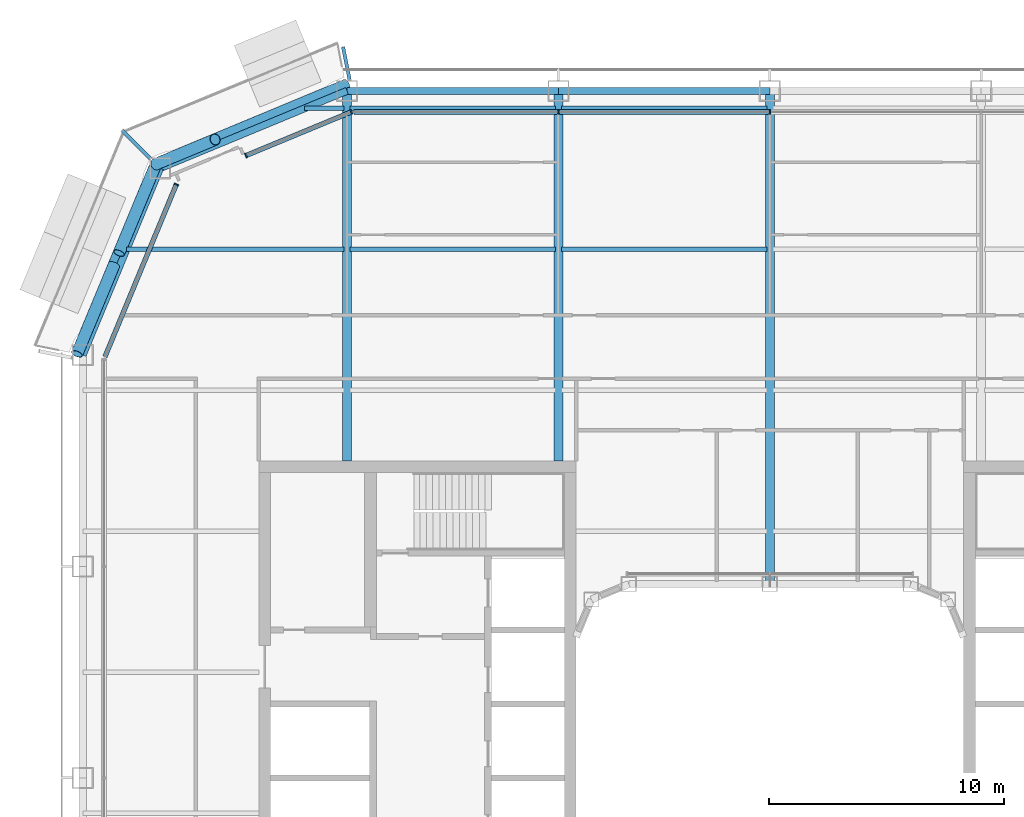
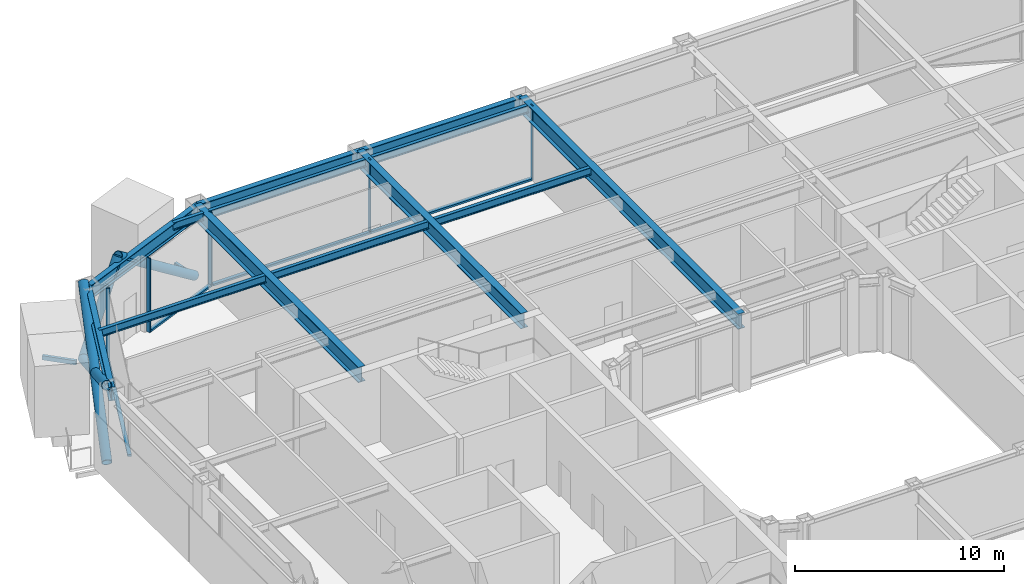
# One storey, part 7 of 23: 15 beams, 14 members, 3 elements without a shape of their own.
"""IFC4 building model written with IfcOpenShell, lengths in metres."""

from ifc_helpers import new_model, si_unit, direction, frame, origin, origin_2d, place, context, subcontext, project, spatial, rectangle, hollow_rectangle, hollow_circle, i_section, extrude, material, layer, layer_set, material_profile, profile_set, type_object, element, aggregate, save


model = new_model("IFC4")

# Units and contexts
model_context = context("Model", 3, precision=1e-05, world=origin(), true_north=direction((0.0, 1.0)))
body_context = subcontext(model_context, "Body", "Model", "MODEL_VIEW")
ifc_project = project(units=[si_unit("LENGTHUNIT", "METRE"), si_unit("AREAUNIT", "SQUARE_METRE"), si_unit("VOLUMEUNIT", "CUBIC_METRE"), si_unit("PLANEANGLEUNIT", "RADIAN"), si_unit("MASSUNIT", "GRAM", prefix="KILO")], contexts=[model_context])

# Site, building, storey
site_placement = place(None, origin())
site = spatial("IfcSite", under=ifc_project, at=site_placement, CompositionType="ELEMENT")
building_placement = place(site_placement, origin())
building = spatial("IfcBuilding", under=site, at=building_placement, Name="Siwar Civic Tower", CompositionType="ELEMENT")
storey_placement = place(building_placement, frame((0.0, 0.0, 154.199951171875)))
storey = spatial("IfcBuildingStorey", under=building, at=storey_placement, Name="L33", CompositionType="ELEMENT", Elevation=154.199951171875)

# Beams
ifc_material_1 = material(Name="Steel S355", Category="steel")
ifc_material_profile_1 = material_profile(ifc_material_1, hollow_rectangle(XDim=0.14990234375, YDim=0.25, WallThickness=0.010009765625, at=origin_2d()), Name="RHS250x150x10")
ifc_profile_set_1 = profile_set([ifc_material_profile_1], Name="Steel S355")
beam_type_1 = type_object("IfcBeamType", Name="ENV-BALCONY ARM", PredefinedType="BEAM", material=ifc_profile_set_1)
beam_1_placement = place(storey_placement, frame((-17.887451171875, 29.709716796875, -0.27490234375), z_axis=(-0.195191657493, 0.980765118081, 0.0), x_axis=(-0.980765118081, -0.195191657493, 0.0)))
element("IfcBeam", 1, at=beam_1_placement, inside=storey, type_object=beam_type_1, Name="Balcony cantilever beam NW 1", PredefinedType="BEAM", context=body_context, shape_type="SweptSolid", body=[
    extrude(hollow_rectangle(XDim=0.14990234375, YDim=0.25, WallThickness=0.010009765625, at=origin_2d()), origin(), (0.0, 0.0, 1.0), 1.422119140625),
])
beam_2_placement = place(storey_placement, frame((-26.36962890625, 26.36962890625, -0.27490234375), z_axis=(-0.707106781187, 0.707106781187, 0.0), x_axis=(-0.707106781187, -0.707106781187, 0.0)))
element("IfcBeam", 2, at=beam_2_placement, inside=storey, type_object=beam_type_1, Name="Balcony cantilever beam NW 2", PredefinedType="BEAM", context=body_context, shape_type="SweptSolid", body=[
    extrude(hollow_rectangle(XDim=0.14990234375, YDim=0.25, WallThickness=0.010009765625, at=origin_2d()), origin(), (0.0, 0.0, 1.0), 1.6865234375),
])

# Curtain wall, members
ifc_material_2 = material(Name="Aluminium and glass", Category="aluminium")
ifc_layer_1 = layer(ifc_material_2, 0.199951171875)
ifc_layer_set_1 = layer_set([ifc_layer_1], Name="Aluminium and glass")
curtain_wall_type_1 = type_object("IfcCurtainWallType", Name="ENV-CW-B", PredefinedType="NOTDEFINED", material=ifc_layer_set_1)
curtain_wall_1_placement = place(storey_placement, origin())
curtain_wall_1 = element("IfcCurtainWall", 3, at=curtain_wall_1_placement, inside=storey, type_object=curtain_wall_type_1, Name="Curtain wall B N", PredefinedType="NOTDEFINED")
ifc_material_3 = material(Name="Aluminium 6063-T6", Category="aluminium")
ifc_material_profile_2 = material_profile(ifc_material_3, rectangle(XDim=0.199951171875, YDim=0.06494140625, at=origin_2d()), Name="AL 200x65")
ifc_profile_set_2 = profile_set([ifc_material_profile_2], Name="Aluminium 6063-T6")
member_type_1 = type_object("IfcMemberType", Name="ENV-MULLION-B", PredefinedType="MULLION", material=ifc_profile_set_2)
member_1_placement = place(storey_placement, frame((0.0, 28.35009765625, 0.0), z_axis=(0.0, 0.0, 1.0), x_axis=(0.0, -1.0, 0.0)))
member_1 = element("IfcMember", 4, at=member_1_placement, type_object=member_type_1, Name="Mullion B N 3", PredefinedType="MULLION", context=body_context, shape_type="SweptSolid", body=[
    extrude(rectangle(XDim=0.199951171875, YDim=0.06494140625, at=origin_2d()), origin(), (0.0, 0.0, 1.0), 4.35009765625),
])
member_2_placement = place(storey_placement, frame((-9.0, 28.35009765625, 0.0), z_axis=(0.0, 0.0, 1.0), x_axis=(0.0, -1.0, 0.0)))
member_2 = element("IfcMember", 5, at=member_2_placement, type_object=member_type_1, Name="Mullion B N 4", PredefinedType="MULLION", context=body_context, shape_type="SweptSolid", body=[
    extrude(rectangle(XDim=0.199951171875, YDim=0.06494140625, at=origin_2d()), origin(), (0.0, 0.0, 1.0), 4.35009765625),
])

ifc_material_4 = material(Name="Aluminium clad insulated panel", Category="aluminium")
ifc_layer_2 = layer(ifc_material_4, 0.199951171875)
ifc_layer_set_2 = layer_set([ifc_layer_2], Name="Aluminium clad insulated panel")
curtain_wall_type_2 = type_object("IfcCurtainWallType", Name="ENV-CW-BX", PredefinedType="NOTDEFINED", material=ifc_layer_set_2)
curtain_wall_2_placement = place(storey_placement, origin())
curtain_wall_2 = element("IfcCurtainWall", 6, at=curtain_wall_2_placement, inside=storey, type_object=curtain_wall_type_2, Name="Curtain wall B NW1", PredefinedType="NOTDEFINED")
member_3_placement = place(storey_placement, frame((-17.821044921875, 28.35009765625, 0.0), z_axis=(0.0, 0.0, 1.0), x_axis=(0.382683432365, -0.923879532511, 0.0)))
member_3 = element("IfcMember", 7, at=member_3_placement, type_object=member_type_1, Name="Mullion B NW1 1", PredefinedType="MULLION", context=body_context, shape_type="SweptSolid", body=[
    extrude(rectangle(XDim=0.199951171875, YDim=0.06494140625, at=origin_2d()), origin(), (0.0, 0.0, 1.0), 4.35009765625),
])
member_4_placement = place(storey_placement, frame((-22.299072265625, 26.4951171875, 0.0), z_axis=(0.0, 0.0, 1.0), x_axis=(0.382683432365, -0.923879532511, 0.0)))
member_4 = element("IfcMember", 8, at=member_4_placement, type_object=member_type_1, Name="Mullion B NW1 2", PredefinedType="MULLION", context=body_context, shape_type="SweptSolid", body=[
    extrude(rectangle(XDim=0.199951171875, YDim=0.06494140625, at=origin_2d()), origin(), (0.0, 0.0, 1.0), 4.35009765625),
])

# Curtain wall, member
curtain_wall_3_placement = place(storey_placement, origin())
curtain_wall_3 = element("IfcCurtainWall", 9, at=curtain_wall_3_placement, inside=storey, type_object=curtain_wall_type_2, Name="Curtain wall B NW2", PredefinedType="NOTDEFINED")
member_5_placement = place(storey_placement, frame((-25.26611328125, 25.26611328125, 0.0), z_axis=(0.0, 0.0, 1.0), x_axis=(0.923879532511, -0.382683432365, 0.0)))
member_5 = element("IfcMember", 10, at=member_5_placement, type_object=member_type_1, Name="Mullion B NW2 1", PredefinedType="MULLION", context=body_context, shape_type="SweptSolid", body=[
    extrude(rectangle(XDim=0.199951171875, YDim=0.06494140625, at=origin_2d()), origin(), (0.0, 0.0, 1.0), 4.35009765625),
])

# Member
ifc_material_5 = material(Name="Aluminium 6063-T6", Category="aluminium")
ifc_material_profile_3 = material_profile(ifc_material_5, rectangle(XDim=0.199951171875, YDim=0.110107421875, at=origin_2d()), Name="AL 200x110")
ifc_profile_set_3 = profile_set([ifc_material_profile_3], Name="Aluminium 6063-T6")
member_type_2 = type_object("IfcMemberType", Name="ENV-TRANSOM-B", PredefinedType="USERDEFINED", material=ifc_profile_set_3)
member_6_placement = place(storey_placement, frame((-0.032470703125, 28.35009765625, 0.054931640625), z_axis=(-1.0, 0.0, 0.0), x_axis=(0.0, -1.0, 0.0)))
member_6 = element("IfcMember", 11, at=member_6_placement, type_object=member_type_2, Name="Transom B N 3", ObjectType="TRANSOM", PredefinedType="USERDEFINED", context=body_context, shape_type="SweptSolid", body=[
    extrude(rectangle(XDim=0.199951171875, YDim=0.110107421875, at=origin_2d()), origin(), (0.0, 0.0, 1.0), 8.93505859375),
])

member_7_placement = place(storey_placement, frame((-9.032470703125, 28.35009765625, 0.054931640625), z_axis=(-1.0, 0.0, 0.0), x_axis=(0.0, -1.0, 0.0)))
member_7 = element("IfcMember", 12, at=member_7_placement, type_object=member_type_2, Name="Transom B N 4", ObjectType="TRANSOM", PredefinedType="USERDEFINED", context=body_context, shape_type="SweptSolid", body=[
    extrude(rectangle(XDim=0.199951171875, YDim=0.110107421875, at=origin_2d()), origin(), (0.0, 0.0, 1.0), 8.6748046875),
])

aggregate(curtain_wall_1, [member_1, member_2, member_6, member_7])

member_8_placement = place(storey_placement, frame((-17.85107421875, 28.337646484375, 0.054931640625), z_axis=(-0.923872467912, -0.382700487371, 0.0), x_axis=(0.382700487371, -0.923872467912, 0.0)))
member_8 = element("IfcMember", 13, at=member_8_placement, type_object=member_type_2, Name="Transom B NW1 1", ObjectType="TRANSOM", PredefinedType="USERDEFINED", context=body_context, shape_type="SweptSolid", body=[
    extrude(rectangle(XDim=0.199951171875, YDim=0.110107421875, at=origin_2d()), origin(), (0.0, 0.0, 1.0), 4.781982421875),
])

aggregate(curtain_wall_2, [member_3, member_4, member_8])

member_9_placement = place(storey_placement, frame((-25.278564453125, 25.236083984375, 0.054931640625), z_axis=(-0.382673358825, -0.923883705044, 0.0), x_axis=(0.923883705044, -0.382673358825, 0.0)))
member_9 = element("IfcMember", 14, at=member_9_placement, type_object=member_type_2, Name="Transom B NW2 1", ObjectType="TRANSOM", PredefinedType="USERDEFINED", context=body_context, shape_type="SweptSolid", body=[
    extrude(rectangle(XDim=0.199951171875, YDim=0.110107421875, at=origin_2d()), origin(), (0.0, 0.0, 1.0), 7.912353515625),
])

aggregate(curtain_wall_3, [member_5, member_9])

# Members
ifc_material_6 = material(Name="Steel S355", Category="steel")
ifc_material_profile_4 = material_profile(ifc_material_6, hollow_circle(Radius=0.25390625, WallThickness=0.02490234375, at=origin_2d()), Name="CHS508x25")
ifc_profile_set_4 = profile_set([ifc_material_profile_4], Name="Steel S355")
member_type_3 = type_object("IfcMemberType", Name="STR-BR-CHS508x25", PredefinedType="BRACE", material=ifc_profile_set_4)
member_10_placement = place(storey_placement, frame((-29.4951171875, 18.048828125, 0.0), z_axis=(0.341671493852, 0.821142553604, 0.457149315816), x_axis=(-0.923264922524, 0.384163874976, 0.0)))
element("IfcMember", 15, at=member_10_placement, inside=storey, type_object=member_type_3, Name="L33/brc/BNW1-12-0-1", PredefinedType="BRACE", context=body_context, shape_type="SweptSolid", body=[
    extrude(hollow_circle(Radius=0.25390625, WallThickness=0.02490234375, at=origin_2d()), origin(), (0.0, 0.0, 1.0), 9.843505859375),
])
member_11_placement = place(storey_placement, frame((-26.1318359375, 26.1318359375, 0.0), z_axis=(-0.341662474736, -0.821143275065, 0.457154760636), x_axis=(0.923268638995, -0.384154943021, 0.0)))
element("IfcMember", 16, at=member_11_placement, inside=storey, type_object=member_type_3, Name="L33/brc/BNW1-12-0-2", PredefinedType="BRACE", context=body_context, shape_type="SweptSolid", body=[
    extrude(hollow_circle(Radius=0.25390625, WallThickness=0.02490234375, at=origin_2d()), origin(), (0.0, 0.0, 1.0), 4.61474609375),
])
member_12_placement = place(storey_placement, frame((-27.91845703125, 21.837890625, 2.390625), z_axis=(-0.34168558233, -0.821145902409, 0.457132770413), x_axis=(0.923259859753, -0.384176042158, 0.0)))
element("IfcMember", 17, at=member_12_placement, inside=storey, type_object=member_type_3, Name="L33/brc/BNW1-12-0-3", PredefinedType="BRACE", context=body_context, shape_type="SweptSolid", body=[
    extrude(hollow_circle(Radius=0.25390625, WallThickness=0.02490234375, at=origin_2d()), origin(), (0.0, 0.0, 1.0), 4.6142578125),
])
member_13_placement = place(storey_placement, frame((-18.048828125, 29.4951171875, 0.0), z_axis=(-0.739973158344, -0.307903068035, 0.598026275029), x_axis=(0.384169803352, -0.923262455747, 0.0)))
element("IfcMember", 18, at=member_13_placement, inside=storey, type_object=member_type_3, Name="L33/brc/BNW1-12-0-0", PredefinedType="BRACE", context=body_context, shape_type="SweptSolid", body=[
    extrude(hollow_circle(Radius=0.25390625, WallThickness=0.02490234375, at=origin_2d()), origin(), (0.0, 0.0, 1.0), 7.524658203125),
])
member_14_placement = place(storey_placement, frame((-26.1318359375, 26.1318359375, 0.0), z_axis=(0.478099094869, 0.198925611165, 0.855482236349), x_axis=(-0.384150749045, 0.92327038402, 0.0)))
element("IfcMember", 19, at=member_14_placement, inside=storey, type_object=member_type_3, Name="L33/brc/BNW1-12-0-6", PredefinedType="BRACE", context=body_context, shape_type="SweptSolid", body=[
    extrude(hollow_circle(Radius=0.25390625, WallThickness=0.02490234375, at=origin_2d()), origin(), (0.0, 0.0, 1.0), 5.26025390625),
])

# Beams
ifc_material_7 = material(Name="Steel S355", Category="steel")
ifc_material_profile_5 = material_profile(ifc_material_7, i_section(OverallWidth=0.18994140625, OverallDepth=0.449951171875, WebThickness=0.009521484375, FlangeThickness=0.0146484375, FilletRadius=0.02099609375, at=origin_2d()), Name="IPE450")
ifc_profile_set_5 = profile_set([ifc_material_profile_5], Name="Steel S355")
beam_type_2 = type_object("IfcBeamType", Name="STR-FB-IPE450", PredefinedType="JOIST", material=ifc_profile_set_5)
beam_3_placement = place(storey_placement, frame((-27.385986328125, 22.5, 4.125), z_axis=(1.0, 0.0, 0.0), x_axis=(0.0, 1.0, 0.0)))
element("IfcBeam", 20, at=beam_3_placement, inside=storey, type_object=beam_type_2, Name="L33/bm/F037", PredefinedType="JOIST", context=body_context, shape_type="SweptSolid", body=[
    extrude(i_section(OverallWidth=0.18994140625, OverallDepth=0.449951171875, WebThickness=0.009521484375, FlangeThickness=0.0146484375, FilletRadius=0.02099609375, at=origin_2d()), origin(), (0.0, 0.0, 1.0), 9.256103515625),
])
for number, where, z_axis, x_axis, name in (
    (21, (-17.8701171875, 22.5, 4.125), (1.0, 0.0, 0.0), (0.0, 1.0, 0.0), "L33/bm/F038"),
    (22, (-8.8701171875, 22.5, 4.125), (1.0, 0.0, 0.0), (0.0, 1.0, 0.0), "L33/bm/F039"),
):
    element("IfcBeam", number, at=place(storey_placement, frame(where, z_axis=z_axis, x_axis=x_axis)), inside=storey, type_object=beam_type_2, Name=name, PredefinedType="JOIST", context=body_context, shape_type="SweptSolid", body=[
        extrude(i_section(OverallWidth=0.18994140625, OverallDepth=0.449951171875, WebThickness=0.009521484375, FlangeThickness=0.0146484375, FilletRadius=0.02099609375, at=origin_2d()), origin(), (0.0, 0.0, 1.0), 8.740234375),
    ])
beam_4_placement = place(storey_placement, frame((-19.810546875, 28.5, 4.125), z_axis=(1.0, 0.0, 0.0), x_axis=(0.0, 1.0, 0.0)))
element("IfcBeam", 23, at=beam_4_placement, inside=storey, type_object=beam_type_2, Name="L33/bm/F043", PredefinedType="JOIST", context=body_context, shape_type="SweptSolid", body=[
    extrude(i_section(OverallWidth=0.18994140625, OverallDepth=0.449951171875, WebThickness=0.009521484375, FlangeThickness=0.0146484375, FilletRadius=0.02099609375, at=origin_2d()), origin(), (0.0, 0.0, 1.0), 1.6806640625),
])
for number, where, z_axis, x_axis, name in (
    (24, (-17.8701171875, 28.5, 4.125), (1.0, 0.0, 0.0), (0.0, 1.0, 0.0), "L33/bm/F044"),
    (25, (-8.8701171875, 28.5, 4.125), (1.0, 0.0, 0.0), (0.0, 1.0, 0.0), "L33/bm/F045"),
):
    element("IfcBeam", number, at=place(storey_placement, frame(where, z_axis=z_axis, x_axis=x_axis)), inside=storey, type_object=beam_type_2, Name=name, PredefinedType="JOIST", context=body_context, shape_type="SweptSolid", body=[
        extrude(i_section(OverallWidth=0.18994140625, OverallDepth=0.449951171875, WebThickness=0.009521484375, FlangeThickness=0.0146484375, FilletRadius=0.02099609375, at=origin_2d()), origin(), (0.0, 0.0, 1.0), 8.740234375),
    ])
ifc_material_8 = material(Name="Steel S355", Category="steel")
ifc_material_profile_6 = material_profile(ifc_material_8, i_section(OverallWidth=0.3798828125, OverallDepth=0.89990234375, WebThickness=0.01611328125, FlangeThickness=0.035888671875, at=origin_2d()), Name="PG900x380x16x36")
ifc_profile_set_6 = profile_set([ifc_material_profile_6], Name="Steel S355")
beam_type_3 = type_object("IfcBeamType", Name="STR-PG-PG900x380x16x36", PredefinedType="BEAM", material=ifc_profile_set_6)
for number, where, z_axis, x_axis, name in (
    (26, (-18.0, 13.5, 3.900146484375), (0.0, 1.0, 0.0), (-1.0, 0.0, 0.0), "L33/bm/G02"),
    (27, (-9.0, 13.5, 3.900146484375), (0.0, 1.0, 0.0), (-1.0, 0.0, 0.0), "L33/bm/G04"),
):
    element("IfcBeam", number, at=place(storey_placement, frame(where, z_axis=z_axis, x_axis=x_axis)), inside=storey, type_object=beam_type_3, Name=name, PredefinedType="BEAM", context=body_context, shape_type="SweptSolid", body=[
        extrude(i_section(OverallWidth=0.3798828125, OverallDepth=0.89990234375, WebThickness=0.01611328125, FlangeThickness=0.035888671875, at=origin_2d()), origin(), (0.0, 0.0, 1.0), 15.75),
    ])
beam_5_placement = place(storey_placement, frame((0.0, 8.25, 3.900146484375), z_axis=(0.0, 1.0, 0.0), x_axis=(-1.0, 0.0, 0.0)))
element("IfcBeam", 28, at=beam_5_placement, inside=storey, type_object=beam_type_3, Name="L33/bm/G06", PredefinedType="BEAM", context=body_context, shape_type="SweptSolid", body=[
    extrude(i_section(OverallWidth=0.3798828125, OverallDepth=0.89990234375, WebThickness=0.01611328125, FlangeThickness=0.035888671875, at=origin_2d()), origin(), (0.0, 0.0, 1.0), 21.0),
])
ifc_material_9 = material(Name="Steel S355", Category="steel")
ifc_material_profile_7 = material_profile(ifc_material_9, i_section(OverallWidth=0.300048828125, OverallDepth=0.800048828125, WebThickness=0.017578125, FlangeThickness=0.032958984375, FilletRadius=0.030029296875, at=origin_2d()), Name="HEB800")
ifc_profile_set_7 = profile_set([ifc_material_profile_7], Name="Steel S355")
beam_type_4 = type_object("IfcBeamType", Name="STR-SB-HEB800", PredefinedType="BEAM", material=ifc_profile_set_7)
for number, where, z_axis, x_axis, name in (
    (29, (0.0, 29.25, 3.949951171875), (-1.0, 0.0, 0.0), (0.0, -1.0, 0.0), "L33/bm/SN-2"),
    (30, (-9.0, 29.25, 3.949951171875), (-1.0, 0.0, 0.0), (0.0, -1.0, 0.0), "L33/bm/SN-3"),
):
    element("IfcBeam", number, at=place(storey_placement, frame(where, z_axis=z_axis, x_axis=x_axis)), inside=storey, type_object=beam_type_4, Name=name, PredefinedType="BEAM", context=body_context, shape_type="SweptSolid", body=[
        extrude(i_section(OverallWidth=0.300048828125, OverallDepth=0.800048828125, WebThickness=0.017578125, FlangeThickness=0.032958984375, FilletRadius=0.030029296875, at=origin_2d()), origin(), (0.0, 0.0, 1.0), 9.0),
    ])
for number, where, z_axis, x_axis, name in (
    (31, (-18.0, 29.25, 3.949951171875), (-0.923872720536, -0.382699877515, 0.0), (0.382699877515, -0.923872720536, 0.0), "L33/bm/SNW1-0"),
    (32, (-25.954833984375, 25.954833984375, 3.949951171875), (-0.382699877515, -0.923872720536, 0.0), (0.923872720536, -0.382699877515, 0.0), "L33/bm/SNW2-0"),
):
    element("IfcBeam", number, at=place(storey_placement, frame(where, z_axis=z_axis, x_axis=x_axis)), inside=storey, type_object=beam_type_4, Name=name, PredefinedType="BEAM", context=body_context, shape_type="SweptSolid", body=[
        extrude(i_section(OverallWidth=0.300048828125, OverallDepth=0.800048828125, WebThickness=0.017578125, FlangeThickness=0.032958984375, FilletRadius=0.030029296875, at=origin_2d()), origin(), (0.0, 0.0, 1.0), 8.6103515625),
    ])

save(model, "model.ifc")
